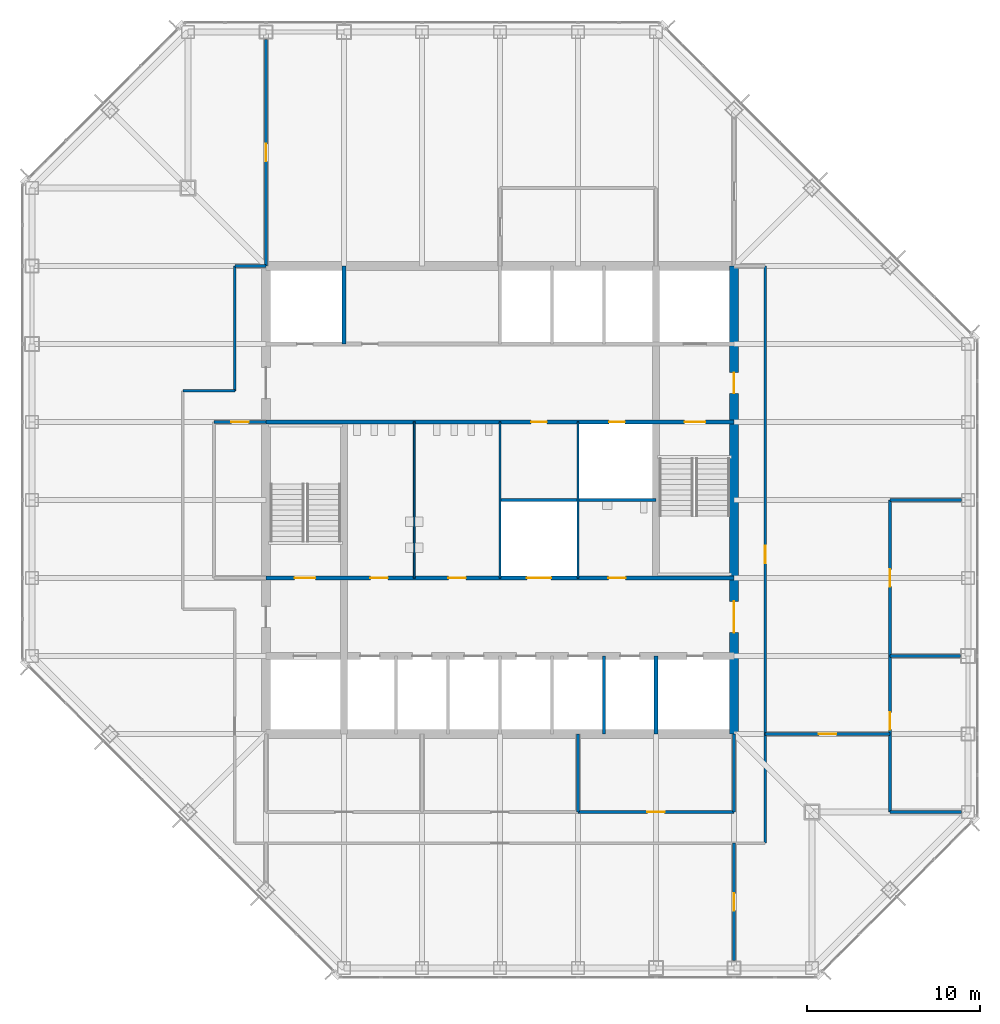
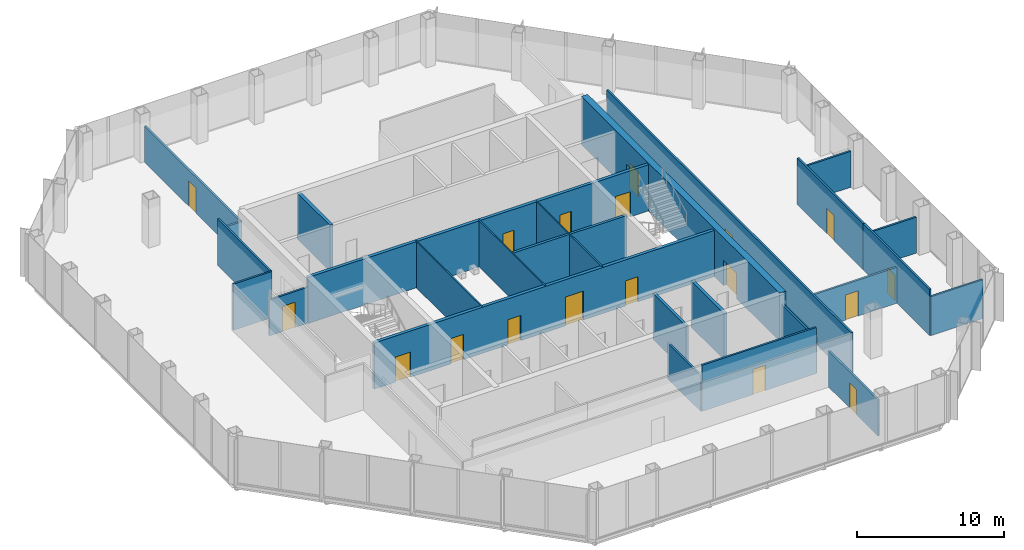
# One storey, part 9 of 12: 26 walls, 18 doors, 18 openings.
"""IFC4 building model written with IfcOpenShell, lengths in metres."""

from ifc_helpers import new_model, si_unit, direction, frame, frame_2d, origin, place, context, subcontext, project, spatial, rectangle, extrude, material, layer, layer_set, type_object, element, fill, save


model = new_model("IFC4")

# Units and contexts
model_context = context("Model", 3, precision=1e-05, world=origin(), true_north=direction((0.0, 1.0)))
body_context = subcontext(model_context, "Body", "Model", "MODEL_VIEW")
ifc_project = project(units=[si_unit("LENGTHUNIT", "METRE"), si_unit("AREAUNIT", "SQUARE_METRE"), si_unit("VOLUMEUNIT", "CUBIC_METRE"), si_unit("PLANEANGLEUNIT", "RADIAN"), si_unit("MASSUNIT", "GRAM", prefix="KILO")], contexts=[model_context])

# Site, building, storey
site_placement = place(None, origin())
site = spatial("IfcSite", under=ifc_project, at=site_placement, CompositionType="ELEMENT")
building_placement = place(site_placement, origin())
building = spatial("IfcBuilding", under=site, at=building_placement, Name="Corais Broadcast Tower", CompositionType="ELEMENT")
storey_placement = place(building_placement, frame((0.0, 0.0, 139.60009765625)))
storey = spatial("IfcBuildingStorey", under=building, at=storey_placement, Name="L31", CompositionType="ELEMENT", Elevation=139.60009765625)

# Walls
ifc_material_1 = material(Name="Concrete blockwork class A, grouted, two-hour", Category="masonry")
ifc_layer_1 = layer(ifc_material_1, 0.25)
ifc_layer_set_1 = layer_set([ifc_layer_1], Name="Concrete blockwork class A, grouted, two-hour")
wall_type_1 = type_object("IfcWallType", Name="Core lobby wall 250", PredefinedType="SOLIDWALL", material=ifc_layer_set_1)
for number, where, z_axis, x_axis, name in (
    (1, (18.0, 36.0, 0.0), (0.0, 0.0, 1.0), (0.0, 1.0, 0.0), "CL2 core shaft wall X18B L31"),
    (2, (36.0, 13.5, 0.0), (0.0, 0.0, 1.0), (0.0, 1.0, 0.0), "CL2 core shaft wall X36A L31"),
):
    element("IfcWall", number, at=place(storey_placement, frame(where, z_axis=z_axis, x_axis=x_axis)), inside=storey, type_object=wall_type_1, Name=name, PredefinedType="SOLIDWALL", context=body_context, shape_type="SweptSolid", body=[
        extrude(rectangle(XDim=4.5, YDim=0.25, at=frame_2d((2.25, 0.0))), origin(), (0.0, 0.0, 1.0), 3.83984375),
    ])

# Wall, openings, doors
wall_1_placement = place(storey_placement, frame((13.5, 22.5, 0.0), z_axis=(0.0, 0.0, 1.0), x_axis=(1.0, 0.0, 0.0)))
wall_1 = element("IfcWall", 3, at=wall_1_placement, inside=storey, type_object=wall_type_1, Name="CL2 core lobby wall Y225 L31", PredefinedType="SOLIDWALL", context=body_context, shape_type="SweptSolid", body=[
    extrude(rectangle(XDim=27.0, YDim=0.25, at=frame_2d((13.5, 0.0))), origin(), (0.0, 0.0, 1.0), 3.83984375),
])
opening_1_placement = place(wall_1_placement, frame((1.64990234375, 0.0, 0.0)))
opening_1 = element("IfcOpeningElement", 4, at=opening_1_placement, cuts=wall_1, Name="Opening FD1", PredefinedType="OPENING", context=body_context, shape_type="SweptSolid", body=[
    extrude(rectangle(XDim=1.199951171875, YDim=2.10009765625, at=frame_2d((0.60009765625, 1.050048828125))), frame((0.0, 0.135009765625, 0.0), z_axis=(0.0, -1.0, 0.0), x_axis=(1.0, 0.0, 0.0)), (0.0, 0.0, 1.0), 0.27001953125),
])
opening_2_placement = place(wall_1_placement, frame((6.02490234375, 0.0, 0.0)))
opening_2 = element("IfcOpeningElement", 5, at=opening_2_placement, cuts=wall_1, Name="Opening WD1", PredefinedType="OPENING", context=body_context, shape_type="SweptSolid", body=[
    extrude(rectangle(XDim=1.0, YDim=2.10009765625, at=frame_2d((0.5, 1.050048828125))), frame((0.0, 0.135009765625, 0.0), z_axis=(0.0, -1.0, 0.0), x_axis=(1.0, 0.0, 0.0)), (0.0, 0.0, 1.0), 0.27001953125),
])
opening_3_placement = place(wall_1_placement, frame((10.52490234375, 0.0, 0.0)))
opening_3 = element("IfcOpeningElement", 6, at=opening_3_placement, cuts=wall_1, Name="Opening WD1", PredefinedType="OPENING", context=body_context, shape_type="SweptSolid", body=[
    extrude(rectangle(XDim=1.0, YDim=2.10009765625, at=frame_2d((0.5, 1.050048828125))), frame((0.0, 0.135009765625, 0.0), z_axis=(0.0, -1.0, 0.0), x_axis=(1.0, 0.0, 0.0)), (0.0, 0.0, 1.0), 0.27001953125),
])
opening_4_placement = place(wall_1_placement, frame((19.75, 0.0, 0.0)))
opening_4 = element("IfcOpeningElement", 7, at=opening_4_placement, cuts=wall_1, Name="Opening WD1", PredefinedType="OPENING", context=body_context, shape_type="SweptSolid", body=[
    extrude(rectangle(XDim=1.0, YDim=2.10009765625, at=frame_2d((0.5, 1.050048828125))), frame((0.0, 0.135009765625, 0.0), z_axis=(0.0, -1.0, 0.0), x_axis=(1.0, 0.0, 0.0)), (0.0, 0.0, 1.0), 0.27001953125),
])
opening_5_placement = place(wall_1_placement, frame((15.050048828125, 0.0, 0.0)))
opening_5 = element("IfcOpeningElement", 8, at=opening_5_placement, cuts=wall_1, Name="Opening LD3", PredefinedType="OPENING", context=body_context, shape_type="SweptSolid", body=[
    extrude(rectangle(XDim=1.39990234375, YDim=2.39990234375, at=frame_2d((0.699951171875, 1.199951171875))), frame((0.0, 0.135009765625, 0.0), z_axis=(0.0, -1.0, 0.0), x_axis=(1.0, 0.0, 0.0)), (0.0, 0.0, 1.0), 0.27001953125),
])
ifc_material_2 = material(Name="Steel fire door", Category="steel")
door_type_1 = type_object("IfcDoorType", Name="Fire door 1200x2100", OperationType="SINGLE_SWING_LEFT", PredefinedType="DOOR", material=ifc_material_2)
door_1_placement = place(opening_1_placement, origin())
door_1 = element("IfcDoor", 9, at=door_1_placement, inside=storey, type_object=door_type_1, Name="FD1 stair A door L31", OperationType="SINGLE_SWING_LEFT", OverallHeight=2.10009765625, OverallWidth=1.199951171875, PredefinedType="DOOR", context=body_context, shape_type="SweptSolid", body=[
    extrude(rectangle(XDim=1.199951171875, YDim=2.10009765625, at=frame_2d((0.60009765625, 1.050048828125))), frame((0.0, 0.02490234375, 0.0), z_axis=(0.0, -1.0, 0.0), x_axis=(1.0, 0.0, 0.0)), (0.0, 0.0, 1.0), 0.050048828125),
])
fill(opening_1, door_1)
ifc_material_3 = material(Name="Stainless steel lift door", Category="steel")
door_type_2 = type_object("IfcDoorType", Name="Service lift landing door 1400x2400", OperationType="SLIDING_TO_LEFT", PredefinedType="DOOR", material=ifc_material_3)
door_2_placement = place(opening_5_placement, origin())
door_2 = element("IfcDoor", 10, at=door_2_placement, inside=storey, type_object=door_type_2, Name="LD3 SL1 landing door L31", OperationType="SLIDING_TO_LEFT", OverallHeight=2.39990234375, OverallWidth=1.39990234375, PredefinedType="DOOR", context=body_context, shape_type="SweptSolid", body=[
    extrude(rectangle(XDim=1.39990234375, YDim=2.39990234375, at=frame_2d((0.699951171875, 1.199951171875))), frame((0.0, 0.02490234375, 0.0), z_axis=(0.0, -1.0, 0.0), x_axis=(1.0, 0.0, 0.0)), (0.0, 0.0, 1.0), 0.050048828125),
])
fill(opening_5, door_2)
ifc_material_4 = material(Name="Timber door", Category="wood")
door_type_3 = type_object("IfcDoorType", Name="Toilet door 1000x2100", OperationType="SINGLE_SWING_LEFT", PredefinedType="DOOR", material=ifc_material_4)
door_3_placement = place(opening_2_placement, origin())
door_3 = element("IfcDoor", 11, at=door_3_placement, inside=storey, type_object=door_type_3, Name="WD1 WC male door L31", OperationType="SINGLE_SWING_LEFT", OverallHeight=2.10009765625, OverallWidth=1.0, PredefinedType="DOOR", context=body_context, shape_type="SweptSolid", body=[
    extrude(rectangle(XDim=1.0, YDim=2.10009765625, at=frame_2d((0.5, 1.050048828125))), frame((0.0, 0.02490234375, 0.0), z_axis=(0.0, -1.0, 0.0), x_axis=(1.0, 0.0, 0.0)), (0.0, 0.0, 1.0), 0.050048828125),
])
fill(opening_2, door_3)
door_4_placement = place(opening_3_placement, origin())
door_4 = element("IfcDoor", 12, at=door_4_placement, inside=storey, type_object=door_type_3, Name="WD1 WC female door L31", OperationType="SINGLE_SWING_LEFT", OverallHeight=2.10009765625, OverallWidth=1.0, PredefinedType="DOOR", context=body_context, shape_type="SweptSolid", body=[
    extrude(rectangle(XDim=1.0, YDim=2.10009765625, at=frame_2d((0.5, 1.050048828125))), frame((0.0, 0.02490234375, 0.0), z_axis=(0.0, -1.0, 0.0), x_axis=(1.0, 0.0, 0.0)), (0.0, 0.0, 1.0), 0.050048828125),
])
fill(opening_3, door_4)
door_5_placement = place(opening_4_placement, origin())
door_5 = element("IfcDoor", 13, at=door_5_placement, inside=storey, type_object=door_type_3, Name="WD1 accessible WC door L31", OperationType="SINGLE_SWING_RIGHT", OverallHeight=2.10009765625, OverallWidth=1.0, PredefinedType="DOOR", context=body_context, shape_type="SweptSolid", body=[
    extrude(rectangle(XDim=1.0, YDim=2.10009765625, at=frame_2d((0.5, 1.050048828125))), frame((0.0, 0.02490234375, 0.0), z_axis=(0.0, -1.0, 0.0), x_axis=(1.0, 0.0, 0.0)), (0.0, 0.0, 1.0), 0.050048828125),
])
fill(opening_4, door_5)

wall_2_placement = place(storey_placement, frame((13.5, 31.5, 0.0), z_axis=(0.0, 0.0, 1.0), x_axis=(1.0, 0.0, 0.0)))
wall_2 = element("IfcWall", 14, at=wall_2_placement, inside=storey, type_object=wall_type_1, Name="CL2 core lobby wall Y315 L31", PredefinedType="SOLIDWALL", context=body_context, shape_type="SweptSolid", body=[
    extrude(rectangle(XDim=27.0, YDim=0.25, at=frame_2d((13.5, 0.0))), origin(), (0.0, 0.0, 1.0), 3.83984375),
])
opening_6_placement = place(wall_2_placement, frame((24.14990234375, 0.0, 0.0)))
opening_6 = element("IfcOpeningElement", 15, at=opening_6_placement, cuts=wall_2, Name="Opening FD1", PredefinedType="OPENING", context=body_context, shape_type="SweptSolid", body=[
    extrude(rectangle(XDim=1.199951171875, YDim=2.10009765625, at=frame_2d((0.60009765625, 1.050048828125))), frame((0.0, 0.135009765625, 0.0), z_axis=(0.0, -1.0, 0.0), x_axis=(1.0, 0.0, 0.0)), (0.0, 0.0, 1.0), 0.27001953125),
])
opening_7_placement = place(wall_2_placement, frame((15.300048828125, 0.0, 0.0)))
opening_7 = element("IfcOpeningElement", 16, at=opening_7_placement, cuts=wall_2, Name="Opening RD1", PredefinedType="OPENING", context=body_context, shape_type="SweptSolid", body=[
    extrude(rectangle(XDim=0.89990234375, YDim=2.10009765625, at=frame_2d((0.449951171875, 1.050048828125))), frame((0.0, 0.135009765625, 0.0), z_axis=(0.0, -1.0, 0.0), x_axis=(1.0, 0.0, 0.0)), (0.0, 0.0, 1.0), 0.27001953125),
])
opening_8_placement = place(wall_2_placement, frame((19.800048828125, 0.0, 0.0)))
opening_8 = element("IfcOpeningElement", 17, at=opening_8_placement, cuts=wall_2, Name="Opening RD1", PredefinedType="OPENING", context=body_context, shape_type="SweptSolid", body=[
    extrude(rectangle(XDim=0.89990234375, YDim=2.10009765625, at=frame_2d((0.449951171875, 1.050048828125))), frame((0.0, 0.135009765625, 0.0), z_axis=(0.0, -1.0, 0.0), x_axis=(1.0, 0.0, 0.0)), (0.0, 0.0, 1.0), 0.27001953125),
])
door_6_placement = place(opening_6_placement, origin())
door_6 = element("IfcDoor", 18, at=door_6_placement, inside=storey, type_object=door_type_1, Name="FD1 stair B door L31", OperationType="SINGLE_SWING_RIGHT", OverallHeight=2.10009765625, OverallWidth=1.199951171875, PredefinedType="DOOR", context=body_context, shape_type="SweptSolid", body=[
    extrude(rectangle(XDim=1.199951171875, YDim=2.10009765625, at=frame_2d((0.60009765625, 1.050048828125))), frame((0.0, 0.02490234375, 0.0), z_axis=(0.0, -1.0, 0.0), x_axis=(1.0, 0.0, 0.0)), (0.0, 0.0, 1.0), 0.050048828125),
])
fill(opening_6, door_6)
ifc_material_5 = material(Name="Steel fire door", Category="steel")
door_type_4 = type_object("IfcDoorType", Name="Riser door 900x2100", OperationType="SINGLE_SWING_LEFT", PredefinedType="DOOR", material=ifc_material_5)
door_7_placement = place(opening_7_placement, origin())
door_7 = element("IfcDoor", 19, at=door_7_placement, inside=storey, type_object=door_type_4, Name="RD1 tea point door L31", OperationType="SINGLE_SWING_RIGHT", OverallHeight=2.10009765625, OverallWidth=0.89990234375, PredefinedType="DOOR", context=body_context, shape_type="SweptSolid", body=[
    extrude(rectangle(XDim=0.89990234375, YDim=2.10009765625, at=frame_2d((0.449951171875, 1.050048828125))), frame((0.0, 0.02490234375, 0.0), z_axis=(0.0, -1.0, 0.0), x_axis=(1.0, 0.0, 0.0)), (0.0, 0.0, 1.0), 0.050048828125),
])
fill(opening_7, door_7)
door_8_placement = place(opening_8_placement, origin())
door_8 = element("IfcDoor", 20, at=door_8_placement, inside=storey, type_object=door_type_4, Name="RD1 riser door L31", OperationType="SINGLE_SWING_RIGHT", OverallHeight=2.10009765625, OverallWidth=0.89990234375, PredefinedType="DOOR", context=body_context, shape_type="SweptSolid", body=[
    extrude(rectangle(XDim=0.89990234375, YDim=2.10009765625, at=frame_2d((0.449951171875, 1.050048828125))), frame((0.0, 0.02490234375, 0.0), z_axis=(0.0, -1.0, 0.0), x_axis=(1.0, 0.0, 0.0)), (0.0, 0.0, 1.0), 0.050048828125),
])
fill(opening_8, door_8)

ifc_material_6 = material(Name="Concrete C50/60", Category="concrete")
ifc_layer_2 = layer(ifc_material_6, 0.5)
ifc_layer_set_2 = layer_set([ifc_layer_2], Name="Concrete C50/60")
wall_type_2 = type_object("IfcWallType", Name="Core wall 500", PredefinedType="SHEAR", material=ifc_layer_set_2)
wall_3_placement = place(storey_placement, frame((40.5, 13.5, 0.0), z_axis=(0.0, 0.0, 1.0), x_axis=(0.0, 1.0, 0.0)))
wall_3 = element("IfcWall", 21, at=wall_3_placement, inside=storey, type_object=wall_type_2, Name="CR500 core wall E L31", PredefinedType="SHEAR", context=body_context, shape_type="SweptSolid", body=[
    extrude(rectangle(XDim=27.0, YDim=0.5, at=frame_2d((13.5, 0.0))), origin(), (0.0, 0.0, 1.0), 4.0),
])
opening_9_placement = place(wall_3_placement, frame((5.85009765625, 0.0, 0.0)))
opening_9 = element("IfcOpeningElement", 22, at=opening_9_placement, cuts=wall_3, Name="Opening FD2", PredefinedType="OPENING", context=body_context, shape_type="SweptSolid", body=[
    extrude(rectangle(XDim=1.800048828125, YDim=2.10009765625, at=frame_2d((0.89990234375, 1.050048828125))), frame((0.0, 0.260009765625, 0.0), z_axis=(0.0, -1.0, 0.0), x_axis=(1.0, 0.0, 0.0)), (0.0, 0.0, 1.0), 0.52001953125),
])
opening_10_placement = place(wall_3_placement, frame((19.64990234375, 0.0, 0.0)))
opening_10 = element("IfcOpeningElement", 23, at=opening_10_placement, cuts=wall_3, Name="Opening FD1", PredefinedType="OPENING", context=body_context, shape_type="SweptSolid", body=[
    extrude(rectangle(XDim=1.199951171875, YDim=2.10009765625, at=frame_2d((0.60009765625, 1.050048828125))), frame((0.0, 0.260009765625, 0.0), z_axis=(0.0, -1.0, 0.0), x_axis=(1.0, 0.0, 0.0)), (0.0, 0.0, 1.0), 0.52001953125),
])
door_9_placement = place(opening_10_placement, origin())
door_9 = element("IfcDoor", 24, at=door_9_placement, inside=storey, type_object=door_type_1, Name="FD1 fire lobby B door L31", OperationType="SINGLE_SWING_RIGHT", OverallHeight=2.10009765625, OverallWidth=1.199951171875, PredefinedType="DOOR", context=body_context, shape_type="SweptSolid", body=[
    extrude(rectangle(XDim=1.199951171875, YDim=2.10009765625, at=frame_2d((0.60009765625, 1.050048828125))), frame((0.0, 0.02490234375, 0.0), z_axis=(0.0, -1.0, 0.0), x_axis=(1.0, 0.0, 0.0)), (0.0, 0.0, 1.0), 0.050048828125),
])
fill(opening_10, door_9)
ifc_material_7 = material(Name="Steel fire door", Category="steel")
door_type_5 = type_object("IfcDoorType", Name="Fire door pair 1800x2100", OperationType="DOUBLE_DOOR_SINGLE_SWING", PredefinedType="DOOR", material=ifc_material_7)
door_10_placement = place(opening_9_placement, origin())
door_10 = element("IfcDoor", 25, at=door_10_placement, inside=storey, type_object=door_type_5, Name="FD2 lift lobby door L31", OperationType="SINGLE_SWING_LEFT", OverallHeight=2.10009765625, OverallWidth=1.800048828125, PredefinedType="DOOR", context=body_context, shape_type="SweptSolid", body=[
    extrude(rectangle(XDim=1.800048828125, YDim=2.10009765625, at=frame_2d((0.89990234375, 1.050048828125))), frame((0.0, 0.02490234375, 0.0), z_axis=(0.0, -1.0, 0.0), x_axis=(1.0, 0.0, 0.0)), (0.0, 0.0, 1.0), 0.050048828125),
])
fill(opening_9, door_10)

# Wall, opening, door
ifc_material_8 = material(Name="Gypsum board on steel studs", Category="steel")
ifc_layer_3 = layer(ifc_material_8, 0.14990234375)
ifc_layer_set_3 = layer_set([ifc_layer_3], Name="Gypsum board on steel studs")
wall_type_3 = type_object("IfcWallType", Name="Partition 150", PredefinedType="PARTITIONING", material=ifc_layer_set_3)
wall_4_placement = place(storey_placement, frame((42.300048828125, 7.199951171875, 0.0), z_axis=(0.0, 0.0, 1.0), x_axis=(0.0, 1.0, 0.0)))
wall_4 = element("IfcWall", 26, at=wall_4_placement, inside=storey, type_object=wall_type_3, Name="IW3 corridor wall L31", PredefinedType="PARTITIONING", context=body_context, shape_type="SweptSolid", body=[
    extrude(rectangle(XDim=33.300048828125, YDim=0.14990234375, at=frame_2d((16.64990234375, 0.0))), origin(), (0.0, 0.0, 1.0), 3.83984375),
])
opening_11_placement = place(wall_4_placement, frame((16.14990234375, 0.0, 0.0)))
opening_11 = element("IfcOpeningElement", 27, at=opening_11_placement, cuts=wall_4, Name="Opening D1", PredefinedType="OPENING", context=body_context, shape_type="SweptSolid", body=[
    extrude(rectangle(XDim=1.0, YDim=2.10009765625, at=frame_2d((0.5, 1.050048828125))), frame((0.0, 0.0849609375, 0.0), z_axis=(0.0, -1.0, 0.0), x_axis=(1.0, 0.0, 0.0)), (0.0, 0.0, 1.0), 0.169921875),
])
ifc_material_9 = material(Name="Timber door", Category="wood")
door_type_6 = type_object("IfcDoorType", Name="Single door 1000x2100", OperationType="SINGLE_SWING_LEFT", PredefinedType="DOOR", material=ifc_material_9)
door_11_placement = place(opening_11_placement, origin())
door_11 = element("IfcDoor", 28, at=door_11_placement, inside=storey, type_object=door_type_6, Name="D1 workplace door L31", OperationType="SINGLE_SWING_LEFT", OverallHeight=2.10009765625, OverallWidth=1.0, PredefinedType="DOOR", context=body_context, shape_type="SweptSolid", body=[
    extrude(rectangle(XDim=1.0, YDim=2.10009765625, at=frame_2d((0.5, 1.050048828125))), frame((0.0, 0.02490234375, 0.0), z_axis=(0.0, -1.0, 0.0), x_axis=(1.0, 0.0, 0.0)), (0.0, 0.0, 1.0), 0.050048828125),
])
fill(opening_11, door_11)

# Walls
wall_5_placement = place(storey_placement, frame((11.699951171875, 40.5, 0.0), z_axis=(0.0, 0.0, 1.0), x_axis=(0.0, -1.0, 0.0)))
element("IfcWall", 29, at=wall_5_placement, inside=storey, type_object=wall_type_3, Name="IW3 corridor wall L31", PredefinedType="PARTITIONING", context=body_context, shape_type="SweptSolid", body=[
    extrude(rectangle(XDim=7.199951171875, YDim=0.14990234375, at=frame_2d((3.60009765625, 0.0))), origin(), (0.0, 0.0, 1.0), 3.83984375),
])
wall_6_placement = place(storey_placement, frame((11.699951171875, 33.300048828125, 0.0), z_axis=(0.0, 0.0, 1.0), x_axis=(-1.0, 0.0, 0.0)))
element("IfcWall", 30, at=wall_6_placement, inside=storey, type_object=wall_type_3, Name="IW3 corridor wall L31", PredefinedType="PARTITIONING", context=body_context, shape_type="SweptSolid", body=[
    extrude(rectangle(XDim=3.0, YDim=0.14990234375, at=frame_2d((1.5, 0.0))), origin(), (0.0, 0.0, 1.0), 3.83984375),
])
wall_7_placement = place(storey_placement, frame((13.510009765625, 40.5, 0.0), z_axis=(0.0, 0.0, 1.0), x_axis=(-1.0, 0.0, 0.0)))
element("IfcWall", 31, at=wall_7_placement, inside=storey, type_object=wall_type_3, Name="IW3 corridor wall L31", PredefinedType="PARTITIONING", context=body_context, shape_type="SweptSolid", body=[
    extrude(rectangle(XDim=1.81005859375, YDim=0.14990234375, at=frame_2d((0.905029296875, 0.0))), origin(), (0.0, 0.0, 1.0), 2.989013671875),
])
wall_8_placement = place(storey_placement, frame((31.5, 9.0, 0.0), z_axis=(0.0, 0.0, 1.0), x_axis=(0.0, 1.0, 0.0)))
element("IfcWall", 32, at=wall_8_placement, inside=storey, type_object=wall_type_3, Name="IW3 partition L31", PredefinedType="PARTITIONING", context=body_context, shape_type="SweptSolid", body=[
    extrude(rectangle(XDim=4.5, YDim=0.14990234375, at=frame_2d((2.25, 0.0))), origin(), (0.0, 0.0, 1.0), 2.989013671875),
])

# Wall, opening, door
wall_9_placement = place(storey_placement, frame((31.5, 9.0, 0.0), z_axis=(0.0, 0.0, 1.0), x_axis=(1.0, 0.0, 0.0)))
wall_9 = element("IfcWall", 33, at=wall_9_placement, inside=storey, type_object=wall_type_3, Name="IW3 partition L31", PredefinedType="PARTITIONING", context=body_context, shape_type="SweptSolid", body=[
    extrude(rectangle(XDim=9.0, YDim=0.14990234375, at=frame_2d((4.5, 0.0))), origin(), (0.0, 0.0, 1.0), 3.83984375),
])
opening_12_placement = place(wall_9_placement, frame((4.0, 0.0, 0.0)))
opening_12 = element("IfcOpeningElement", 34, at=opening_12_placement, cuts=wall_9, Name="Opening D1", PredefinedType="OPENING", context=body_context, shape_type="SweptSolid", body=[
    extrude(rectangle(XDim=1.0, YDim=2.10009765625, at=frame_2d((0.5, 1.050048828125))), frame((0.0, 0.0849609375, 0.0), z_axis=(0.0, -1.0, 0.0), x_axis=(1.0, 0.0, 0.0)), (0.0, 0.0, 1.0), 0.169921875),
])
door_12_placement = place(opening_12_placement, origin())
door_12 = element("IfcDoor", 35, at=door_12_placement, inside=storey, type_object=door_type_6, Name="D1 Edit suite door", OperationType="SINGLE_SWING_LEFT", OverallHeight=2.10009765625, OverallWidth=1.0, PredefinedType="DOOR", context=body_context, shape_type="SweptSolid", body=[
    extrude(rectangle(XDim=1.0, YDim=2.10009765625, at=frame_2d((0.5, 1.050048828125))), frame((0.0, 0.02490234375, 0.0), z_axis=(0.0, -1.0, 0.0), x_axis=(1.0, 0.0, 0.0)), (0.0, 0.0, 1.0), 0.050048828125),
])
fill(opening_12, door_12)

# Walls
wall_10_placement = place(storey_placement, frame((40.5, 9.0, 0.0), z_axis=(0.0, 0.0, 1.0), x_axis=(0.0, 1.0, 0.0)))
element("IfcWall", 36, at=wall_10_placement, inside=storey, type_object=wall_type_3, Name="IW3 partition L31", PredefinedType="PARTITIONING", context=body_context, shape_type="SweptSolid", body=[
    extrude(rectangle(XDim=4.5, YDim=0.14990234375, at=frame_2d((2.25, 0.0))), origin(), (0.0, 0.0, 1.0), 2.989013671875),
])
wall_11_placement = place(storey_placement, frame((49.5, 9.0, 0.0), z_axis=(0.0, 0.0, 1.0), x_axis=(1.0, 0.0, 0.0)))
element("IfcWall", 37, at=wall_11_placement, inside=storey, type_object=wall_type_3, Name="IW3 partition L31", PredefinedType="PARTITIONING", context=body_context, shape_type="SweptSolid", body=[
    extrude(rectangle(XDim=4.114990234375, YDim=0.14990234375, at=frame_2d((2.0576171875, 0.0))), origin(), (0.0, 0.0, 1.0), 3.22900390625),
])
wall_12_placement = place(storey_placement, frame((53.56494140625, 18.0, 0.0), z_axis=(0.0, 0.0, 1.0), x_axis=(-1.0, 0.0, 0.0)))
element("IfcWall", 38, at=wall_12_placement, inside=storey, type_object=wall_type_3, Name="IW3 partition L31", PredefinedType="PARTITIONING", context=body_context, shape_type="SweptSolid", body=[
    extrude(rectangle(XDim=4.06494140625, YDim=0.14990234375, at=frame_2d((2.032470703125, 0.0))), origin(), (0.0, 0.0, 1.0), 2.989013671875),
])

# Wall, opening, door
wall_13_placement = place(storey_placement, frame((49.5, 18.0, 0.0), z_axis=(0.0, 0.0, 1.0), x_axis=(0.0, -1.0, 0.0)))
wall_13 = element("IfcWall", 39, at=wall_13_placement, inside=storey, type_object=wall_type_3, Name="IW3 partition L31", PredefinedType="PARTITIONING", context=body_context, shape_type="SweptSolid", body=[
    extrude(rectangle(XDim=9.0, YDim=0.14990234375, at=frame_2d((4.5, 0.0))), origin(), (0.0, 0.0, 1.0), 3.83984375),
])
opening_13_placement = place(wall_13_placement, frame((3.25, 0.0, 0.0)))
opening_13 = element("IfcOpeningElement", 40, at=opening_13_placement, cuts=wall_13, Name="Opening D1", PredefinedType="OPENING", context=body_context, shape_type="SweptSolid", body=[
    extrude(rectangle(XDim=1.0, YDim=2.10009765625, at=frame_2d((0.5, 1.050048828125))), frame((0.0, 0.0849609375, 0.0), z_axis=(0.0, -1.0, 0.0), x_axis=(1.0, 0.0, 0.0)), (0.0, 0.0, 1.0), 0.169921875),
])
door_13_placement = place(opening_13_placement, origin())
door_13 = element("IfcDoor", 41, at=door_13_placement, inside=storey, type_object=door_type_6, Name="D1 Producer office door", OperationType="SINGLE_SWING_LEFT", OverallHeight=2.10009765625, OverallWidth=1.0, PredefinedType="DOOR", context=body_context, shape_type="SweptSolid", body=[
    extrude(rectangle(XDim=1.0, YDim=2.10009765625, at=frame_2d((0.5, 1.050048828125))), frame((0.0, 0.02490234375, 0.0), z_axis=(0.0, -1.0, 0.0), x_axis=(1.0, 0.0, 0.0)), (0.0, 0.0, 1.0), 0.050048828125),
])
fill(opening_13, door_13)

# Wall
wall_14_placement = place(storey_placement, frame((53.614990234375, 27.0, 0.0), z_axis=(0.0, 0.0, 1.0), x_axis=(-1.0, 0.0, 0.0)))
element("IfcWall", 42, at=wall_14_placement, inside=storey, type_object=wall_type_3, Name="IW3 partition L31", PredefinedType="PARTITIONING", context=body_context, shape_type="SweptSolid", body=[
    extrude(rectangle(XDim=4.114990234375, YDim=0.14990234375, at=frame_2d((2.0576171875, 0.0))), origin(), (0.0, 0.0, 1.0), 2.989013671875),
])

# Wall, opening, door
wall_15_placement = place(storey_placement, frame((49.5, 27.0, 0.0), z_axis=(0.0, 0.0, 1.0), x_axis=(0.0, -1.0, 0.0)))
wall_15 = element("IfcWall", 43, at=wall_15_placement, inside=storey, type_object=wall_type_3, Name="IW3 partition L31", PredefinedType="PARTITIONING", context=body_context, shape_type="SweptSolid", body=[
    extrude(rectangle(XDim=9.0, YDim=0.14990234375, at=frame_2d((4.5, 0.0))), origin(), (0.0, 0.0, 1.0), 3.83984375),
])
opening_14_placement = place(wall_15_placement, frame((4.0, 0.0, 0.0)))
opening_14 = element("IfcOpeningElement", 44, at=opening_14_placement, cuts=wall_15, Name="Opening D1", PredefinedType="OPENING", context=body_context, shape_type="SweptSolid", body=[
    extrude(rectangle(XDim=1.0, YDim=2.10009765625, at=frame_2d((0.5, 1.050048828125))), frame((0.0, 0.0849609375, 0.0), z_axis=(0.0, -1.0, 0.0), x_axis=(1.0, 0.0, 0.0)), (0.0, 0.0, 1.0), 0.169921875),
])
door_14_placement = place(opening_14_placement, origin())
door_14 = element("IfcDoor", 45, at=door_14_placement, inside=storey, type_object=door_type_6, Name="D1 Producer office door", OperationType="SINGLE_SWING_LEFT", OverallHeight=2.10009765625, OverallWidth=1.0, PredefinedType="DOOR", context=body_context, shape_type="SweptSolid", body=[
    extrude(rectangle(XDim=1.0, YDim=2.10009765625, at=frame_2d((0.5, 1.050048828125))), frame((0.0, 0.02490234375, 0.0), z_axis=(0.0, -1.0, 0.0), x_axis=(1.0, 0.0, 0.0)), (0.0, 0.0, 1.0), 0.050048828125),
])
fill(opening_14, door_14)

wall_16_placement = place(storey_placement, frame((13.5, 31.5, 0.0), z_axis=(0.0, 0.0, 1.0), x_axis=(-1.0, 0.0, 0.0)))
wall_16 = element("IfcWall", 46, at=wall_16_placement, inside=storey, type_object=wall_type_3, Name="IW3 partition L31", PredefinedType="PARTITIONING", context=body_context, shape_type="SweptSolid", body=[
    extrude(rectangle(XDim=3.0, YDim=0.14990234375, at=frame_2d((1.5, 0.0))), origin(), (0.0, 0.0, 1.0), 2.989013671875),
])
opening_15_placement = place(wall_16_placement, frame((1.0, 0.0, 0.0)))
opening_15 = element("IfcOpeningElement", 47, at=opening_15_placement, cuts=wall_16, Name="Opening D1", PredefinedType="OPENING", context=body_context, shape_type="SweptSolid", body=[
    extrude(rectangle(XDim=1.0, YDim=2.10009765625, at=frame_2d((0.5, 1.050048828125))), frame((0.0, 0.0849609375, 0.0), z_axis=(0.0, -1.0, 0.0), x_axis=(1.0, 0.0, 0.0)), (0.0, 0.0, 1.0), 0.169921875),
])
door_15_placement = place(opening_15_placement, origin())
door_15 = element("IfcDoor", 48, at=door_15_placement, inside=storey, type_object=door_type_6, Name="D1 Pantry door", OperationType="SINGLE_SWING_LEFT", OverallHeight=2.10009765625, OverallWidth=1.0, PredefinedType="DOOR", context=body_context, shape_type="SweptSolid", body=[
    extrude(rectangle(XDim=1.0, YDim=2.10009765625, at=frame_2d((0.5, 1.050048828125))), frame((0.0, 0.02490234375, 0.0), z_axis=(0.0, -1.0, 0.0), x_axis=(1.0, 0.0, 0.0)), (0.0, 0.0, 1.0), 0.050048828125),
])
fill(opening_15, door_15)

wall_17_placement = place(storey_placement, frame((13.5, 40.5, 0.0), z_axis=(0.0, 0.0, 1.0), x_axis=(0.0, 1.0, 0.0)))
wall_17 = element("IfcWall", 49, at=wall_17_placement, inside=storey, type_object=wall_type_3, Name="IW3 partition L31", PredefinedType="PARTITIONING", context=body_context, shape_type="SweptSolid", body=[
    extrude(rectangle(XDim=13.080078125, YDim=0.14990234375, at=frame_2d((6.5400390625, 0.0))), origin(), (0.0, 0.0, 1.0), 2.989013671875),
])
opening_16_placement = place(wall_17_placement, frame((6.0400390625, 0.0, 0.0)))
opening_16 = element("IfcOpeningElement", 50, at=opening_16_placement, cuts=wall_17, Name="Opening D1", PredefinedType="OPENING", context=body_context, shape_type="SweptSolid", body=[
    extrude(rectangle(XDim=1.0, YDim=2.10009765625, at=frame_2d((0.5, 1.050048828125))), frame((0.0, 0.0849609375, 0.0), z_axis=(0.0, -1.0, 0.0), x_axis=(1.0, 0.0, 0.0)), (0.0, 0.0, 1.0), 0.169921875),
])
door_16_placement = place(opening_16_placement, origin())
door_16 = element("IfcDoor", 51, at=door_16_placement, inside=storey, type_object=door_type_6, Name="D1 team room door L31", OperationType="SINGLE_SWING_LEFT", OverallHeight=2.10009765625, OverallWidth=1.0, PredefinedType="DOOR", context=body_context, shape_type="SweptSolid", body=[
    extrude(rectangle(XDim=1.0, YDim=2.10009765625, at=frame_2d((0.5, 1.050048828125))), frame((0.0, 0.02490234375, 0.0), z_axis=(0.0, -1.0, 0.0), x_axis=(1.0, 0.0, 0.0)), (0.0, 0.0, 1.0), 0.050048828125),
])
fill(opening_16, door_16)

wall_18_placement = place(storey_placement, frame((49.5, 13.5, 0.0), z_axis=(0.0, 0.0, 1.0), x_axis=(-1.0, 0.0, 0.0)))
wall_18 = element("IfcWall", 52, at=wall_18_placement, inside=storey, type_object=wall_type_3, Name="IW3 partition L31", PredefinedType="PARTITIONING", context=body_context, shape_type="SweptSolid", body=[
    extrude(rectangle(XDim=7.199951171875, YDim=0.14990234375, at=frame_2d((3.60009765625, 0.0))), origin(), (0.0, 0.0, 1.0), 2.989013671875),
])
opening_17_placement = place(wall_18_placement, frame((3.10009765625, 0.0, 0.0)))
opening_17 = element("IfcOpeningElement", 53, at=opening_17_placement, cuts=wall_18, Name="Opening D1", PredefinedType="OPENING", context=body_context, shape_type="SweptSolid", body=[
    extrude(rectangle(XDim=1.0, YDim=2.10009765625, at=frame_2d((0.5, 1.050048828125))), frame((0.0, 0.0849609375, 0.0), z_axis=(0.0, -1.0, 0.0), x_axis=(1.0, 0.0, 0.0)), (0.0, 0.0, 1.0), 0.169921875),
])
door_17_placement = place(opening_17_placement, origin())
door_17 = element("IfcDoor", 54, at=door_17_placement, inside=storey, type_object=door_type_6, Name="D1 team room door L31", OperationType="SINGLE_SWING_LEFT", OverallHeight=2.10009765625, OverallWidth=1.0, PredefinedType="DOOR", context=body_context, shape_type="SweptSolid", body=[
    extrude(rectangle(XDim=1.0, YDim=2.10009765625, at=frame_2d((0.5, 1.050048828125))), frame((0.0, 0.02490234375, 0.0), z_axis=(0.0, -1.0, 0.0), x_axis=(1.0, 0.0, 0.0)), (0.0, 0.0, 1.0), 0.050048828125),
])
fill(opening_17, door_17)

wall_19_placement = place(storey_placement, frame((40.5, 7.199951171875, 0.0), z_axis=(0.0, 0.0, 1.0), x_axis=(0.0, -1.0, 0.0)))
wall_19 = element("IfcWall", 55, at=wall_19_placement, inside=storey, type_object=wall_type_3, Name="IW3 partition L31", PredefinedType="PARTITIONING", context=body_context, shape_type="SweptSolid", body=[
    extrude(rectangle(XDim=6.780029296875, YDim=0.14990234375, at=frame_2d((3.39013671875, 0.0))), origin(), (0.0, 0.0, 1.0), 2.989013671875),
])
opening_18_placement = place(wall_19_placement, frame((2.889892578125, 0.0, 0.0)))
opening_18 = element("IfcOpeningElement", 56, at=opening_18_placement, cuts=wall_19, Name="Opening D1", PredefinedType="OPENING", context=body_context, shape_type="SweptSolid", body=[
    extrude(rectangle(XDim=1.0, YDim=2.10009765625, at=frame_2d((0.5, 1.050048828125))), frame((0.0, 0.0849609375, 0.0), z_axis=(0.0, -1.0, 0.0), x_axis=(1.0, 0.0, 0.0)), (0.0, 0.0, 1.0), 0.169921875),
])
door_18_placement = place(opening_18_placement, origin())
door_18 = element("IfcDoor", 57, at=door_18_placement, inside=storey, type_object=door_type_6, Name="D1 team room door L31", OperationType="SINGLE_SWING_LEFT", OverallHeight=2.10009765625, OverallWidth=1.0, PredefinedType="DOOR", context=body_context, shape_type="SweptSolid", body=[
    extrude(rectangle(XDim=1.0, YDim=2.10009765625, at=frame_2d((0.5, 1.050048828125))), frame((0.0, 0.02490234375, 0.0), z_axis=(0.0, -1.0, 0.0), x_axis=(1.0, 0.0, 0.0)), (0.0, 0.0, 1.0), 0.050048828125),
])
fill(opening_18, door_18)

# Walls
ifc_material_10 = material(Name="Concrete blockwork class A, grouted, two-hour", Category="masonry")
ifc_layer_4 = layer(ifc_material_10, 0.199951171875)
ifc_layer_set_4 = layer_set([ifc_layer_4], Name="Concrete blockwork class A, grouted, two-hour")
wall_type_4 = type_object("IfcWallType", Name="Shaft wall 200", PredefinedType="PARTITIONING", material=ifc_layer_set_4)
wall_20_placement = place(storey_placement, frame((33.0, 13.5, 0.0), z_axis=(0.0, 0.0, 1.0), x_axis=(0.0, 1.0, 0.0)))
element("IfcWall", 58, at=wall_20_placement, inside=storey, type_object=wall_type_4, Name="IW1 shaft wall L31", PredefinedType="PARTITIONING", context=body_context, shape_type="SweptSolid", body=[
    extrude(rectangle(XDim=4.5, YDim=0.199951171875, at=frame_2d((2.25, 0.0))), origin(), (0.0, 0.0, 1.0), 3.83984375),
])
wall_21_placement = place(storey_placement, frame((27.0, 27.0, 0.0), z_axis=(0.0, 0.0, 1.0), x_axis=(1.0, 0.0, 0.0)))
element("IfcWall", 59, at=wall_21_placement, inside=storey, type_object=wall_type_4, Name="IW1 shaft wall L31", PredefinedType="PARTITIONING", context=body_context, shape_type="SweptSolid", body=[
    extrude(rectangle(XDim=9.0, YDim=0.199951171875, at=frame_2d((4.5, 0.0))), origin(), (0.0, 0.0, 1.0), 3.83984375),
])
ifc_material_11 = material(Name="Dense concrete blockwork class A, tiled both faces", Category="masonry")
ifc_layer_5 = layer(ifc_material_11, 0.10009765625)
ifc_layer_set_5 = layer_set([ifc_layer_5], Name="Dense concrete blockwork class A, tiled both faces")
wall_type_5 = type_object("IfcWallType", Name="Toilet wall 100", PredefinedType="PLUMBINGWALL", material=ifc_layer_set_5)
for number, where, z_axis, x_axis, name in (
    (60, (22.050048828125, 22.5, 0.0), (0.0, 0.0, 1.0), (0.0, 1.0, 0.0), "IW2 toilet wall L31"),
    (61, (27.0, 22.5, 0.0), (0.0, 0.0, 1.0), (0.0, 1.0, 0.0), "IW2 toilet wall L31"),
    (62, (31.5, 22.5, 0.0), (0.0, 0.0, 1.0), (0.0, 1.0, 0.0), "IW2 toilet wall L31"),
):
    element("IfcWall", number, at=place(storey_placement, frame(where, z_axis=z_axis, x_axis=x_axis)), inside=storey, type_object=wall_type_5, Name=name, PredefinedType="PLUMBINGWALL", context=body_context, shape_type="SweptSolid", body=[
        extrude(rectangle(XDim=9.0, YDim=0.10009765625, at=frame_2d((4.5, 0.0))), origin(), (0.0, 0.0, 1.0), 3.83984375),
    ])

save(model, "model.ifc")
